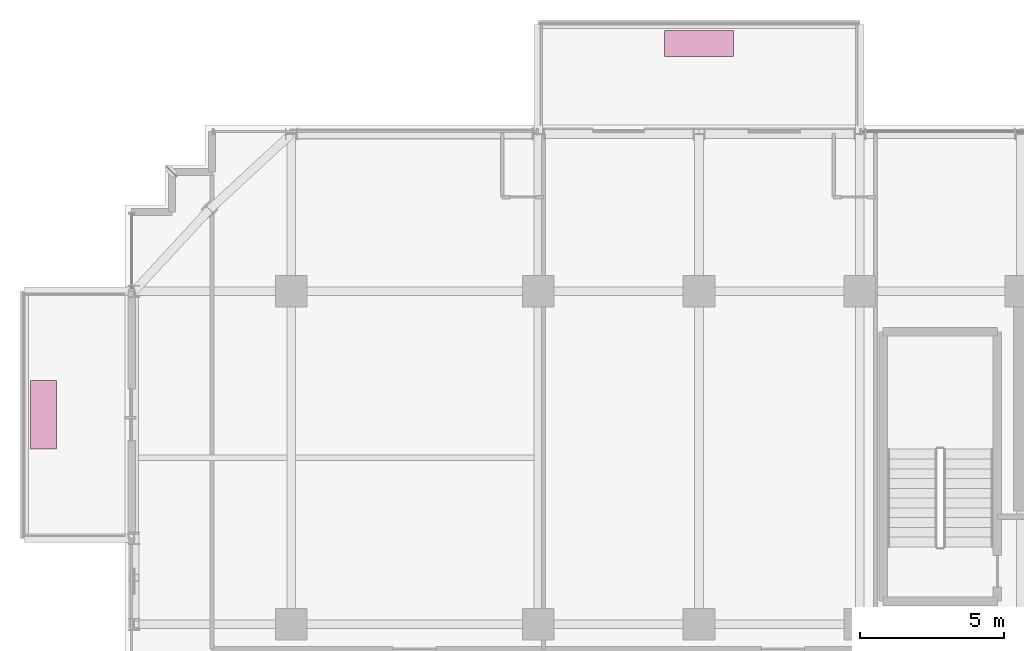
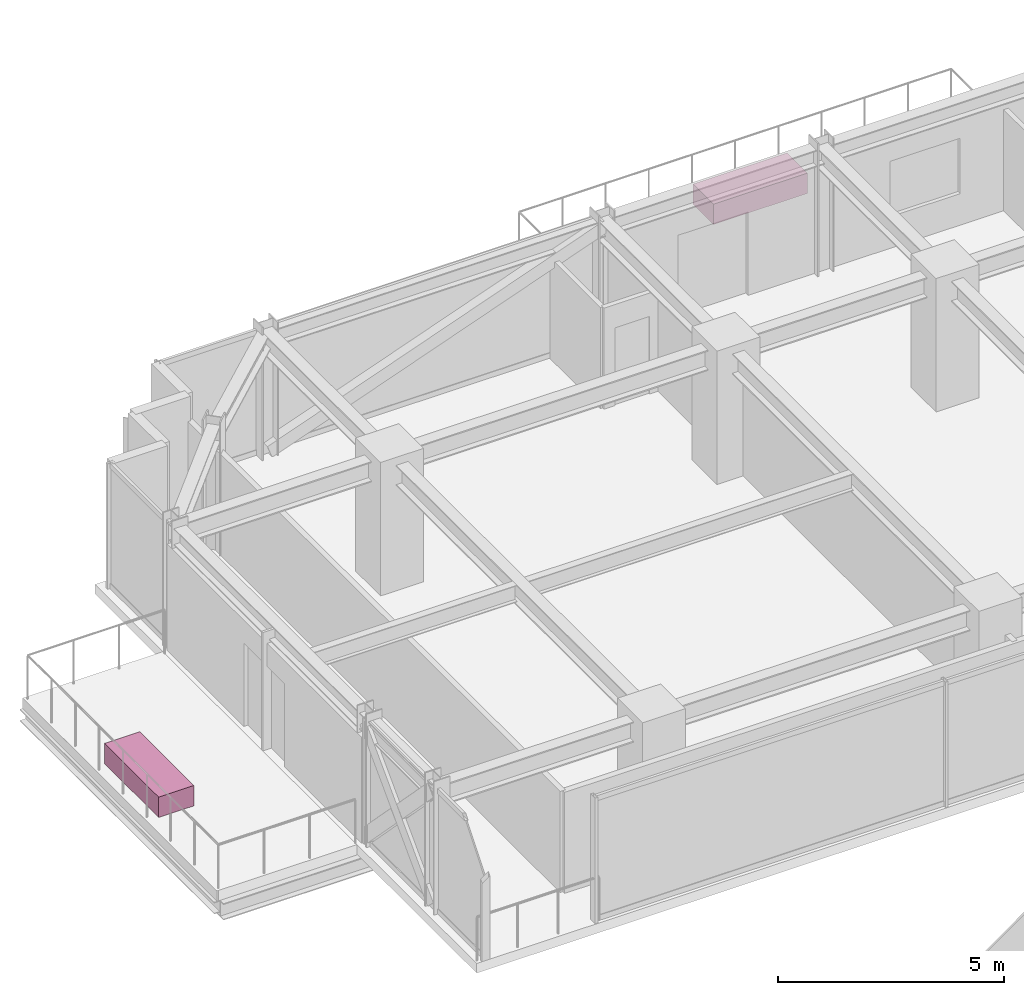
# One storey, part 43 of 43: 2 furnishings.
"""IFC4 building model written with IfcOpenShell, lengths in metres."""

from ifc_helpers import new_model, si_unit, direction, frame, origin, origin_2d, place, context, subcontext, project, spatial, rectangle, extrude, source, transform, mapped, material, type_object, element, save


model = new_model("IFC4")

# Units and contexts
model_context = context("Model", 3, precision=1e-05, world=origin(), true_north=direction((0.0, 1.0)))
body_context = subcontext(model_context, "Body", "Model", "MODEL_VIEW")
ifc_project = project(units=[si_unit("LENGTHUNIT", "METRE"), si_unit("AREAUNIT", "SQUARE_METRE"), si_unit("VOLUMEUNIT", "CUBIC_METRE"), si_unit("PLANEANGLEUNIT", "RADIAN"), si_unit("MASSUNIT", "GRAM", prefix="KILO")], contexts=[model_context])

# Site, building, storey
site_placement = place(None, origin())
site = spatial("IfcSite", under=ifc_project, at=site_placement, CompositionType="ELEMENT")
building_placement = place(site_placement, origin())
building = spatial("IfcBuilding", under=site, at=building_placement, Name="Nahalor Promenade Grand Hotel", CompositionType="ELEMENT")
storey_placement = place(building_placement, frame((0.0, 0.0, 181.85009765625)))
storey = spatial("IfcBuildingStorey", under=building, at=storey_placement, Name="L46", CompositionType="ELEMENT", Elevation=181.85009765625)

# Furnishings
ifc_material = material(Name="Vegetated Volcanic-Lapilli Tree Planter", Category="earth")
furnishing_element_type = type_object("IfcFurnishingElementType", Name="Planter-VerticalForest-Box", material=ifc_material)
shared_shape = source(origin(), body_context, "Body", "SweptSolid", [
    extrude(rectangle(XDim=2.39990234375, YDim=0.89990234375, at=origin_2d()), origin(), (0.0, 0.0, 1.0), 0.550048828125),
])
for number, where, z_axis, x_axis, name in (
    (1, (-2.800048828125, 25.6298828125, 0.0), (0.0, 0.0, 1.0), (1.0, 0.0, 0.0), "L46 Balcony Structural Tree Planter 1"),
    (2, (-25.6298828125, 12.699951171875, 0.0), (0.0, 0.0, 1.0), (0.0, 1.0, 0.0), "L46 Balcony Structural Tree Planter 2"),
):
    element("IfcFurnishingElement", number, at=place(storey_placement, frame(where, z_axis=z_axis, x_axis=x_axis)), inside=storey, type_object=furnishing_element_type, Name=name, ObjectType="PLANTER", context=body_context, shape_type="MappedRepresentation", body=[
        mapped(shared_shape, transform((0.0, 0.0, 0.0), scale=1.0)),
    ])

save(model, "model.ifc")
